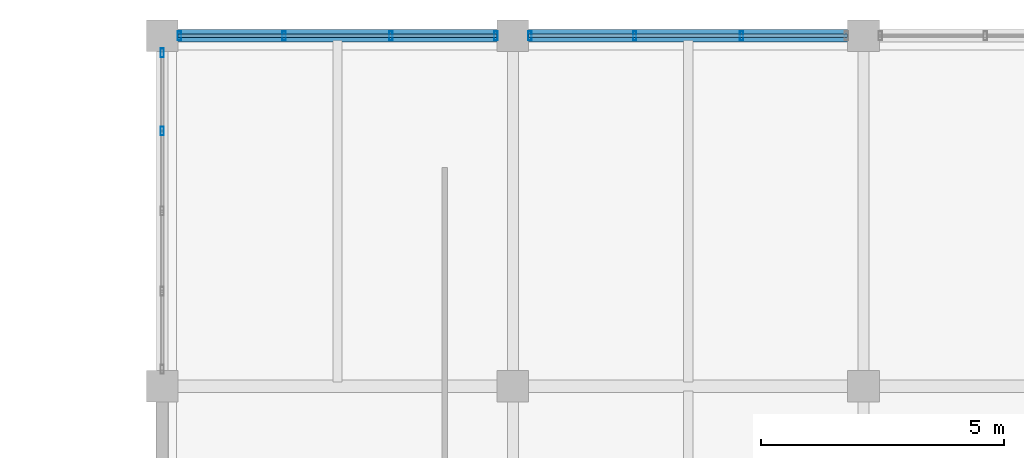
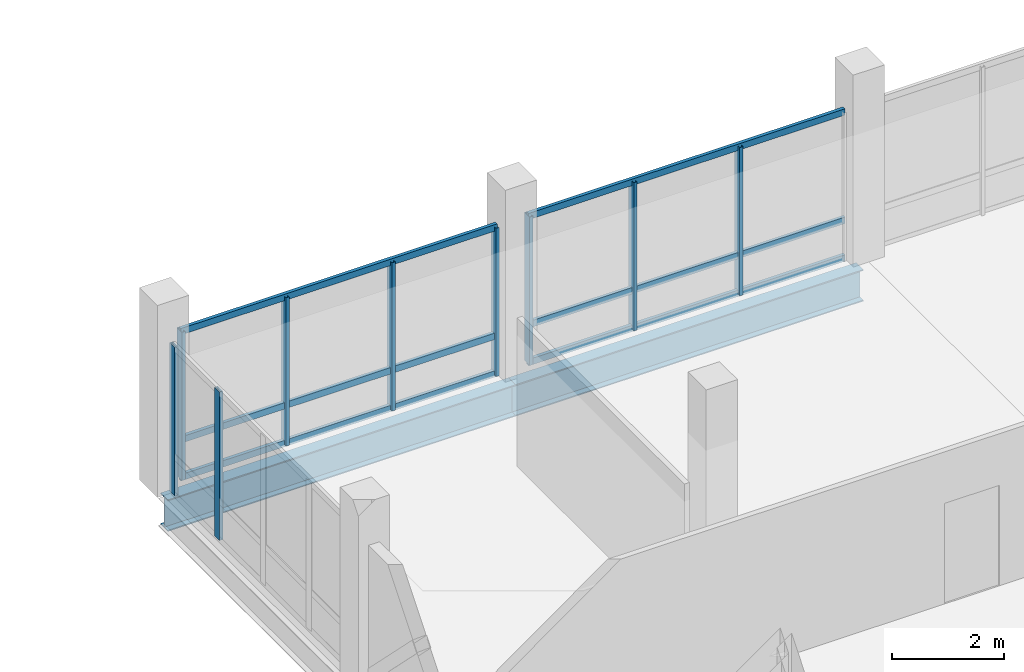
# One storey, part 51 of 102: 15 members, 2 beams, 3 elements without a shape of their own.
"""IFC4 building model written with IfcOpenShell, lengths in metres."""

from ifc_helpers import new_model, si_unit, direction, frame, origin, origin_2d, place, context, subcontext, project, spatial, hollow_rectangle, i_section, extrude, material, material_profile, profile_set, type_object, element, aggregate, save


model = new_model("IFC4")

# Units and contexts
model_context = context("Model", 3, precision=1e-05, world=origin(), true_north=direction((0.0, 1.0)))
body_context = subcontext(model_context, "Body", "Model", "MODEL_VIEW")
ifc_project = project(units=[si_unit("LENGTHUNIT", "METRE"), si_unit("AREAUNIT", "SQUARE_METRE"), si_unit("VOLUMEUNIT", "CUBIC_METRE"), si_unit("PLANEANGLEUNIT", "RADIAN"), si_unit("MASSUNIT", "GRAM", prefix="KILO")], contexts=[model_context])

# Site, building, storey
site_placement = place(None, origin())
site = spatial("IfcSite", under=ifc_project, at=site_placement, CompositionType="ELEMENT")
building_placement = place(site_placement, origin())
building = spatial("IfcBuilding", under=site, at=building_placement, Name="Yarey Park Central Fire Station", CompositionType="ELEMENT")
storey_placement = place(building_placement, frame((0.0, 0.0, 6.0)))
storey = spatial("IfcBuildingStorey", under=building, at=storey_placement, Name="L02", CompositionType="ELEMENT", Elevation=6.0)

# Curtain wall, members
ifc_material_1 = material(Name="Anodized Aluminium Frame", Category="aluminium")
curtain_wall_type = type_object("IfcCurtainWallType", Name="ENV_CW_HQ_L02", PredefinedType="NOTDEFINED", material=ifc_material_1)
curtain_wall_1_placement = place(storey_placement, origin())
curtain_wall_1 = element("IfcCurtainWall", 1, at=curtain_wall_1_placement, inside=storey, type_object=curtain_wall_type, Name="CW_L02_V4_N_1", PredefinedType="NOTDEFINED")
ifc_material_profile_1 = material_profile(ifc_material_1, hollow_rectangle(XDim=0.070068359375, YDim=0.179931640625, WallThickness=0.00390625, at=origin_2d()), Name="ALU 180x70x4")
ifc_profile_set_1 = profile_set([ifc_material_profile_1], Name="Anodized Aluminium Frame")
member_type_1 = type_object("IfcMemberType", Name="ENV_CW_MULLION", PredefinedType="MULLION", material=ifc_profile_set_1)
member_1_placement = place(storey_placement, frame((122.050048828125, 115.199951171875, 0.0), z_axis=(0.0, 0.0, 1.0), x_axis=(1.0, 0.0, 0.0)))
member_1 = element("IfcMember", 2, at=member_1_placement, type_object=member_type_1, Name="CW_L02_V4_N_1_MUL1", PredefinedType="MULLION", context=body_context, shape_type="SweptSolid", body=[
    extrude(hollow_rectangle(XDim=0.070068359375, YDim=0.179931640625, WallThickness=0.00390625, at=origin_2d()), origin(), (0.0, 0.0, 1.0), 3.2470703125),
])
member_2_placement = place(storey_placement, frame((119.896728515625, 115.199951171875, 0.0), z_axis=(0.0, 0.0, 1.0), x_axis=(1.0, 0.0, 0.0)))
member_2 = element("IfcMember", 3, at=member_2_placement, type_object=member_type_1, Name="CW_L02_V4_N_1_MUL2", PredefinedType="MULLION", context=body_context, shape_type="SweptSolid", body=[
    extrude(hollow_rectangle(XDim=0.070068359375, YDim=0.179931640625, WallThickness=0.00390625, at=origin_2d()), origin(), (0.0, 0.0, 1.0), 3.2470703125),
])
member_3_placement = place(storey_placement, frame((117.703369140625, 115.199951171875, 0.0), z_axis=(0.0, 0.0, 1.0), x_axis=(1.0, 0.0, 0.0)))
member_3 = element("IfcMember", 4, at=member_3_placement, type_object=member_type_1, Name="CW_L02_V4_N_1_MUL3", PredefinedType="MULLION", context=body_context, shape_type="SweptSolid", body=[
    extrude(hollow_rectangle(XDim=0.070068359375, YDim=0.179931640625, WallThickness=0.00390625, at=origin_2d()), origin(), (0.0, 0.0, 1.0), 3.2470703125),
])
member_4_placement = place(storey_placement, frame((115.550048828125, 115.199951171875, 0.0), z_axis=(0.0, 0.0, 1.0), x_axis=(1.0, 0.0, 0.0)))
member_4 = element("IfcMember", 5, at=member_4_placement, type_object=member_type_1, Name="CW_L02_V4_N_1_MUL4", PredefinedType="MULLION", context=body_context, shape_type="SweptSolid", body=[
    extrude(hollow_rectangle(XDim=0.070068359375, YDim=0.179931640625, WallThickness=0.00390625, at=origin_2d()), origin(), (0.0, 0.0, 1.0), 3.2470703125),
])

curtain_wall_2_placement = place(storey_placement, origin())
curtain_wall_2 = element("IfcCurtainWall", 6, at=curtain_wall_2_placement, inside=storey, type_object=curtain_wall_type, Name="CW_L02_V4_N_2", PredefinedType="NOTDEFINED")
member_5_placement = place(storey_placement, frame((127.0966796875, 115.199951171875, 0.0), z_axis=(0.0, 0.0, 1.0), x_axis=(1.0, 0.0, 0.0)))
member_5 = element("IfcMember", 7, at=member_5_placement, type_object=member_type_1, Name="CW_L02_V4_N_2_MUL2", PredefinedType="MULLION", context=body_context, shape_type="SweptSolid", body=[
    extrude(hollow_rectangle(XDim=0.070068359375, YDim=0.179931640625, WallThickness=0.00390625, at=origin_2d()), origin(), (0.0, 0.0, 1.0), 3.2470703125),
])
member_6_placement = place(storey_placement, frame((124.9033203125, 115.199951171875, 0.0), z_axis=(0.0, 0.0, 1.0), x_axis=(1.0, 0.0, 0.0)))
member_6 = element("IfcMember", 8, at=member_6_placement, type_object=member_type_1, Name="CW_L02_V4_N_2_MUL3", PredefinedType="MULLION", context=body_context, shape_type="SweptSolid", body=[
    extrude(hollow_rectangle(XDim=0.070068359375, YDim=0.179931640625, WallThickness=0.00390625, at=origin_2d()), origin(), (0.0, 0.0, 1.0), 3.2470703125),
])
member_7_placement = place(storey_placement, frame((122.75, 115.199951171875, 0.0), z_axis=(0.0, 0.0, 1.0), x_axis=(1.0, 0.0, 0.0)))
member_7 = element("IfcMember", 9, at=member_7_placement, type_object=member_type_1, Name="CW_L02_V4_N_2_MUL4", PredefinedType="MULLION", context=body_context, shape_type="SweptSolid", body=[
    extrude(hollow_rectangle(XDim=0.070068359375, YDim=0.179931640625, WallThickness=0.00390625, at=origin_2d()), origin(), (0.0, 0.0, 1.0), 3.2470703125),
])

curtain_wall_3_placement = place(storey_placement, origin())
curtain_wall_3 = element("IfcCurtainWall", 10, at=curtain_wall_3_placement, inside=storey, type_object=curtain_wall_type, Name="CW_L02_V4_W_108", PredefinedType="NOTDEFINED")
member_8_placement = place(storey_placement, frame((115.199951171875, 114.85009765625, 0.0), z_axis=(0.0, 0.0, 1.0), x_axis=(1.0, 0.0, 0.0)))
member_8 = element("IfcMember", 11, at=member_8_placement, type_object=member_type_1, Name="CW_L02_V4_W_108_MUL1", PredefinedType="MULLION", context=body_context, shape_type="SweptSolid", body=[
    extrude(hollow_rectangle(XDim=0.070068359375, YDim=0.179931640625, WallThickness=0.00390625, at=origin_2d()), origin(), (0.0, 0.0, 1.0), 3.25),
])
member_9_placement = place(storey_placement, frame((115.199951171875, 113.2451171875, 0.0), z_axis=(0.0, 0.0, 1.0), x_axis=(1.0, 0.0, 0.0)))
member_9 = element("IfcMember", 12, at=member_9_placement, type_object=member_type_1, Name="CW_L02_V4_W_108_MUL2", PredefinedType="MULLION", context=body_context, shape_type="SweptSolid", body=[
    extrude(hollow_rectangle(XDim=0.070068359375, YDim=0.179931640625, WallThickness=0.00390625, at=origin_2d()), origin(), (0.0, 0.0, 1.0), 3.25),
])
aggregate(curtain_wall_3, [member_8, member_9])

# Member
ifc_material_profile_2 = material_profile(ifc_material_1, hollow_rectangle(XDim=0.070068359375, YDim=0.139892578125, WallThickness=0.00390625, at=origin_2d()), Name="ALU 140x70x4")
ifc_profile_set_2 = profile_set([ifc_material_profile_2], Name="Anodized Aluminium Frame")
member_type_2 = type_object("IfcMemberType", Name="ENV_CW_TRANSOM", PredefinedType="USERDEFINED", material=ifc_profile_set_2)
member_10_placement = place(storey_placement, frame((122.074951171875, 115.199951171875, 0.02490234375), z_axis=(-1.0, 0.0, 0.0), x_axis=(0.0, -1.0, 0.0)))
member_10 = element("IfcMember", 13, at=member_10_placement, type_object=member_type_2, Name="CW_L02_V4_N_1_TRN1", ObjectType="TRANSOM", PredefinedType="USERDEFINED", context=body_context, shape_type="SweptSolid", body=[
    extrude(hollow_rectangle(XDim=0.070068359375, YDim=0.139892578125, WallThickness=0.00390625, at=origin_2d()), origin(), (0.0, 0.0, 1.0), 6.550048828125),
])

member_11_placement = place(storey_placement, frame((122.074951171875, 115.199951171875, 0.85009765625), z_axis=(-1.0, 0.0, 0.0), x_axis=(0.0, -1.0, 0.0)))
member_11 = element("IfcMember", 14, at=member_11_placement, type_object=member_type_2, Name="CW_L02_V4_N_1_TRN2", ObjectType="TRANSOM", PredefinedType="USERDEFINED", context=body_context, shape_type="SweptSolid", body=[
    extrude(hollow_rectangle(XDim=0.070068359375, YDim=0.139892578125, WallThickness=0.00390625, at=origin_2d()), origin(), (0.0, 0.0, 1.0), 6.550048828125),
])

member_12_placement = place(storey_placement, frame((122.074951171875, 115.199951171875, 3.221923828125), z_axis=(-1.0, 0.0, 0.0), x_axis=(0.0, -1.0, 0.0)))
member_12 = element("IfcMember", 15, at=member_12_placement, type_object=member_type_2, Name="CW_L02_V4_N_1_TRN3", ObjectType="TRANSOM", PredefinedType="USERDEFINED", context=body_context, shape_type="SweptSolid", body=[
    extrude(hollow_rectangle(XDim=0.070068359375, YDim=0.139892578125, WallThickness=0.00390625, at=origin_2d()), origin(), (0.0, 0.0, 1.0), 6.550048828125),
])

aggregate(curtain_wall_1, [member_1, member_2, member_3, member_4, member_10, member_11, member_12])

member_13_placement = place(storey_placement, frame((129.27490234375, 115.199951171875, 0.02490234375), z_axis=(-1.0, 0.0, 0.0), x_axis=(0.0, -1.0, 0.0)))
member_13 = element("IfcMember", 16, at=member_13_placement, type_object=member_type_2, Name="CW_L02_V4_N_2_TRN1", ObjectType="TRANSOM", PredefinedType="USERDEFINED", context=body_context, shape_type="SweptSolid", body=[
    extrude(hollow_rectangle(XDim=0.070068359375, YDim=0.139892578125, WallThickness=0.00390625, at=origin_2d()), origin(), (0.0, 0.0, 1.0), 6.5498046875),
])

member_14_placement = place(storey_placement, frame((129.27490234375, 115.199951171875, 0.85009765625), z_axis=(-1.0, 0.0, 0.0), x_axis=(0.0, -1.0, 0.0)))
member_14 = element("IfcMember", 17, at=member_14_placement, type_object=member_type_2, Name="CW_L02_V4_N_2_TRN2", ObjectType="TRANSOM", PredefinedType="USERDEFINED", context=body_context, shape_type="SweptSolid", body=[
    extrude(hollow_rectangle(XDim=0.070068359375, YDim=0.139892578125, WallThickness=0.00390625, at=origin_2d()), origin(), (0.0, 0.0, 1.0), 6.5498046875),
])

member_15_placement = place(storey_placement, frame((129.27490234375, 115.199951171875, 3.221923828125), z_axis=(-1.0, 0.0, 0.0), x_axis=(0.0, -1.0, 0.0)))
member_15 = element("IfcMember", 18, at=member_15_placement, type_object=member_type_2, Name="CW_L02_V4_N_2_TRN3", ObjectType="TRANSOM", PredefinedType="USERDEFINED", context=body_context, shape_type="SweptSolid", body=[
    extrude(hollow_rectangle(XDim=0.070068359375, YDim=0.139892578125, WallThickness=0.00390625, at=origin_2d()), origin(), (0.0, 0.0, 1.0), 6.5498046875),
])

aggregate(curtain_wall_2, [member_5, member_6, member_7, member_13, member_14, member_15])

# Beams
ifc_material_2 = material(Name="Steel ASTM A992 Gr. 50", Category="steel")
ifc_material_profile_3 = material_profile(ifc_material_2, i_section(OverallWidth=0.256103515625, OverallDepth=0.693115234375, WebThickness=0.014404296875, FlangeThickness=0.023681640625, at=origin_2d()), Name="W690x170")
ifc_profile_set_3 = profile_set([ifc_material_profile_3], Name="Steel ASTM A992 Gr. 50")
beam_type = type_object("IfcBeamType", Name="STR_BM_W690", PredefinedType="BEAM", material=ifc_profile_set_3)
beam_1_placement = place(storey_placement, frame((115.199951171875, 115.199951171875, -0.631591796875), z_axis=(1.0, 0.0, 0.0), x_axis=(0.0, 1.0, 0.0)))
element("IfcBeam", 19, at=beam_1_placement, inside=storey, type_object=beam_type, Name="BMX L02 Y1152 X1152", PredefinedType="BEAM", context=body_context, shape_type="SweptSolid", body=[
    extrude(i_section(OverallWidth=0.256103515625, OverallDepth=0.693115234375, WebThickness=0.014404296875, FlangeThickness=0.023681640625, at=origin_2d()), origin(), (0.0, 0.0, 1.0), 7.199951171875),
])
beam_2_placement = place(storey_placement, frame((122.39990234375, 115.199951171875, -0.631591796875), z_axis=(1.0, 0.0, 0.0), x_axis=(0.0, 1.0, 0.0)))
element("IfcBeam", 20, at=beam_2_placement, inside=storey, type_object=beam_type, Name="BMX L02 Y1152 X1224", PredefinedType="BEAM", context=body_context, shape_type="SweptSolid", body=[
    extrude(i_section(OverallWidth=0.256103515625, OverallDepth=0.693115234375, WebThickness=0.014404296875, FlangeThickness=0.023681640625, at=origin_2d()), origin(), (0.0, 0.0, 1.0), 7.2001953125),
])

save(model, "model.ifc")
